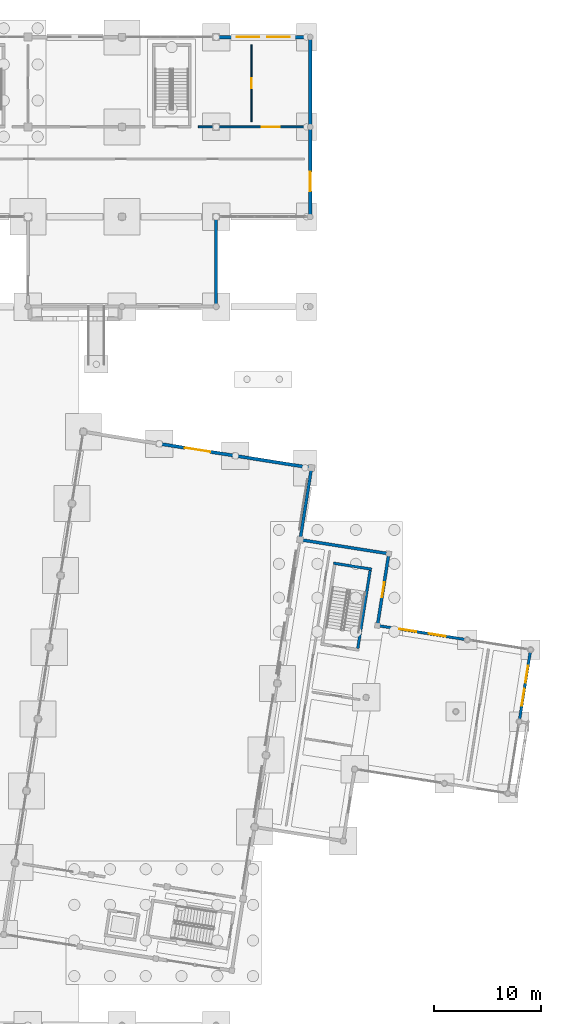
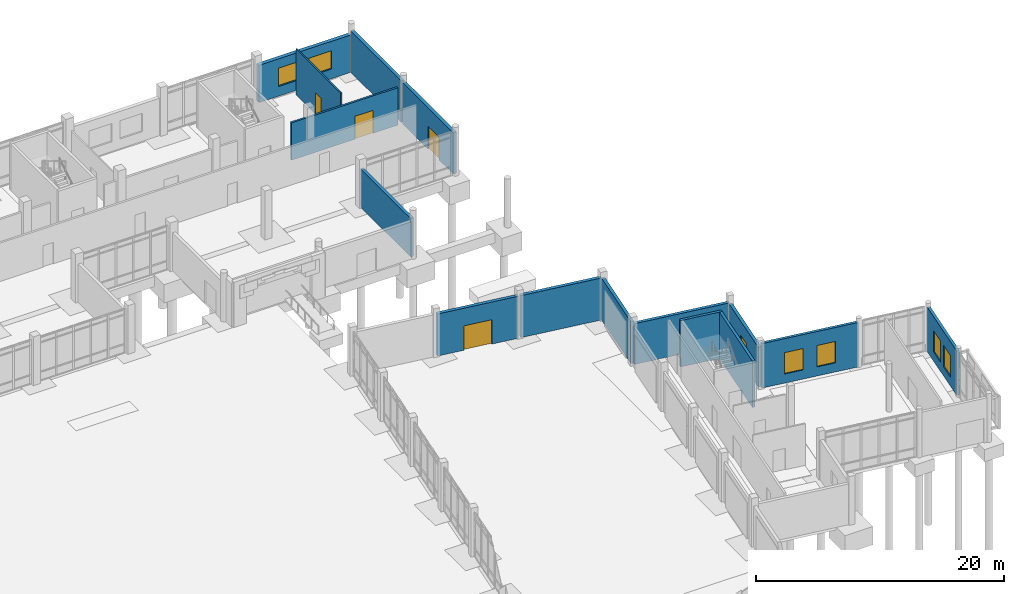
# One storey, part 51 of 72: 15 walls, 7 windows, 4 doors, 11 openings.
"""IFC4 building model written with IfcOpenShell, lengths in metres."""

from ifc_helpers import new_model, si_unit, direction, frame, frame_2d, origin, place, context, subcontext, project, spatial, rectangle, extrude, material, layer, layer_set, type_object, element, fill, save


model = new_model("IFC4")

# Units and contexts
model_context = context("Model", 3, precision=1e-05, world=origin(), true_north=direction((0.0, 1.0)))
body_context = subcontext(model_context, "Body", "Model", "MODEL_VIEW")
ifc_project = project(units=[si_unit("LENGTHUNIT", "METRE"), si_unit("AREAUNIT", "SQUARE_METRE"), si_unit("VOLUMEUNIT", "CUBIC_METRE"), si_unit("PLANEANGLEUNIT", "RADIAN"), si_unit("MASSUNIT", "GRAM", prefix="KILO")], contexts=[model_context])

# Site, building, storey
site_placement = place(None, origin())
site = spatial("IfcSite", under=ifc_project, at=site_placement, CompositionType="ELEMENT")
building_placement = place(site_placement, origin())
building = spatial("IfcBuilding", under=site, at=building_placement, Name="Cinderway Yard Community Centre", CompositionType="ELEMENT")
storey_placement = place(building_placement, origin())
storey = spatial("IfcBuildingStorey", under=building, at=storey_placement, Name="L00", CompositionType="ELEMENT", Elevation=0.0)

# Wall, openings, windows
ifc_material_1 = material(Name="Brick Masonry", Category="masonry")
ifc_layer_1 = layer(ifc_material_1, 0.25, Name="Brick Masonry")
ifc_layer_set_1 = layer_set([ifc_layer_1], Name="Brick Masonry")
wall_type_1 = type_object("IfcWallType", Name="ENV-WAL-EXT250", PredefinedType="SOLIDWALL", material=ifc_layer_set_1)
wall_1_placement = place(storey_placement, frame((165.156005859375, 51.26708984375, 0.0), z_axis=(0.0, 0.0, 1.0), x_axis=(0.156349649217, 0.987701770369, 0.0)))
wall_1 = element("IfcWall", 1, at=wall_1_placement, inside=storey, type_object=wall_type_1, Name="East Entrance Brick Wall ENV-WAL-L00-0090", PredefinedType="SOLIDWALL", context=body_context, shape_type="SweptSolid", body=[
    extrude(rectangle(XDim=6.639404296875, YDim=0.25, at=frame_2d((3.31982421875, 0.0))), origin(), (0.0, 0.0, 1.0), 4.375),
])
opening_1_placement = place(wall_1_placement, frame((1.4130859375, 0.0, 0.89990234375)))
opening_1 = element("IfcOpeningElement", 2, at=opening_1_placement, cuts=wall_1, Name="Opening W-14", PredefinedType="OPENING", context=body_context, shape_type="SweptSolid", body=[
    extrude(rectangle(XDim=1.60009765625, YDim=2.10009765625, at=frame_2d((0.800048828125, 1.050048828125))), frame((0.0, 0.135009765625, 0.0), z_axis=(0.0, -1.0, 0.0), x_axis=(1.0, 0.0, 0.0)), (0.0, 0.0, 1.0), 0.27001953125),
])
opening_2_placement = place(wall_1_placement, frame((3.626953125, 0.0, 0.89990234375)))
opening_2 = element("IfcOpeningElement", 3, at=opening_2_placement, cuts=wall_1, Name="Opening W-14", PredefinedType="OPENING", context=body_context, shape_type="SweptSolid", body=[
    extrude(rectangle(XDim=1.60009765625, YDim=2.10009765625, at=frame_2d((0.800048828125, 1.050048828125))), frame((0.0, 0.135009765625, 0.0), z_axis=(0.0, -1.0, 0.0), x_axis=(1.0, 0.0, 0.0)), (0.0, 0.0, 1.0), 0.27001953125),
])
ifc_material_2 = material(Name="Laminated Low-E Glass", Category="glass")
window_type_1 = type_object("IfcWindowType", Name="ENV-WIN-W14", PartitioningType="DOUBLE_PANEL_VERTICAL", PredefinedType="WINDOW", material=ifc_material_2)
window_1_placement = place(opening_1_placement, origin())
window_1 = element("IfcWindow", 4, at=window_1_placement, inside=storey, type_object=window_type_1, Name="Exterior window ENV-WIN-L00-0061", OverallHeight=2.10009765625, OverallWidth=1.60009765625, PartitioningType="SINGLE_PANEL", PredefinedType="WINDOW", context=body_context, shape_type="SweptSolid", body=[
    extrude(rectangle(XDim=1.60009765625, YDim=2.10009765625, at=frame_2d((0.800048828125, 1.050048828125))), frame((0.0, 0.030029296875, 0.0), z_axis=(0.0, -1.0, 0.0), x_axis=(1.0, 0.0, 0.0)), (0.0, 0.0, 1.0), 0.06005859375),
])
fill(opening_1, window_1)
window_2_placement = place(opening_2_placement, origin())
window_2 = element("IfcWindow", 5, at=window_2_placement, inside=storey, type_object=window_type_1, Name="Exterior window ENV-WIN-L00-0062", OverallHeight=2.10009765625, OverallWidth=1.60009765625, PartitioningType="SINGLE_PANEL", PredefinedType="WINDOW", context=body_context, shape_type="SweptSolid", body=[
    extrude(rectangle(XDim=1.60009765625, YDim=2.10009765625, at=frame_2d((0.800048828125, 1.050048828125))), frame((0.0, 0.030029296875, 0.0), z_axis=(0.0, -1.0, 0.0), x_axis=(1.0, 0.0, 0.0)), (0.0, 0.0, 1.0), 0.06005859375),
])
fill(opening_2, window_2)

wall_2_placement = place(storey_placement, frame((151.965087890625, 60.158935546875, 0.0), z_axis=(0.0, 0.0, 1.0), x_axis=(0.987699982026, -0.156360946233, 0.0)))
wall_2 = element("IfcWall", 6, at=wall_2_placement, inside=storey, type_object=wall_type_1, Name="East Entrance Brick Wall ENV-WAL-L00-0091", PredefinedType="SOLIDWALL", context=body_context, shape_type="SweptSolid", body=[
    extrude(rectangle(XDim=8.33935546875, YDim=0.25, at=frame_2d((4.169677734375, 0.0))), origin(), (0.0, 0.0, 1.0), 4.375),
])
opening_3_placement = place(wall_2_placement, frame((1.97998046875, 0.0, 0.89990234375)))
opening_3 = element("IfcOpeningElement", 7, at=opening_3_placement, cuts=wall_2, Name="Opening W-14", PredefinedType="OPENING", context=body_context, shape_type="SweptSolid", body=[
    extrude(rectangle(XDim=1.60009765625, YDim=2.10009765625, at=frame_2d((0.800048828125, 1.050048828125))), frame((0.0, 0.135009765625, 0.0), z_axis=(0.0, -1.0, 0.0), x_axis=(1.0, 0.0, 0.0)), (0.0, 0.0, 1.0), 0.27001953125),
])
opening_4_placement = place(wall_2_placement, frame((4.760009765625, 0.0, 0.89990234375)))
opening_4 = element("IfcOpeningElement", 8, at=opening_4_placement, cuts=wall_2, Name="Opening W-14", PredefinedType="OPENING", context=body_context, shape_type="SweptSolid", body=[
    extrude(rectangle(XDim=1.60009765625, YDim=2.10009765625, at=frame_2d((0.800048828125, 1.050048828125))), frame((0.0, 0.135009765625, 0.0), z_axis=(0.0, -1.0, 0.0), x_axis=(1.0, 0.0, 0.0)), (0.0, 0.0, 1.0), 0.27001953125),
])
window_3_placement = place(opening_3_placement, origin())
window_3 = element("IfcWindow", 9, at=window_3_placement, inside=storey, type_object=window_type_1, Name="Exterior window ENV-WIN-L00-0063", OverallHeight=2.10009765625, OverallWidth=1.60009765625, PartitioningType="SINGLE_PANEL", PredefinedType="WINDOW", context=body_context, shape_type="SweptSolid", body=[
    extrude(rectangle(XDim=1.60009765625, YDim=2.10009765625, at=frame_2d((0.800048828125, 1.050048828125))), frame((0.0, 0.030029296875, 0.0), z_axis=(0.0, -1.0, 0.0), x_axis=(1.0, 0.0, 0.0)), (0.0, 0.0, 1.0), 0.06005859375),
])
fill(opening_3, window_3)
window_4_placement = place(opening_4_placement, origin())
window_4 = element("IfcWindow", 10, at=window_4_placement, inside=storey, type_object=window_type_1, Name="Exterior window ENV-WIN-L00-0064", OverallHeight=2.10009765625, OverallWidth=1.60009765625, PartitioningType="SINGLE_PANEL", PredefinedType="WINDOW", context=body_context, shape_type="SweptSolid", body=[
    extrude(rectangle(XDim=1.60009765625, YDim=2.10009765625, at=frame_2d((0.800048828125, 1.050048828125))), frame((0.0, 0.030029296875, 0.0), z_axis=(0.0, -1.0, 0.0), x_axis=(1.0, 0.0, 0.0)), (0.0, 0.0, 1.0), 0.06005859375),
])
fill(opening_4, window_4)

# Wall, opening, window
ifc_material_3 = material(Name="Concrete C35/45", Category="concrete")
ifc_layer_2 = layer(ifc_material_3, 0.280029296875, Name="Concrete C35/45")
ifc_layer_set_2 = layer_set([ifc_layer_2], Name="Concrete C35/45")
wall_type_2 = type_object("IfcWallType", Name="ENV-WAL-EXT280", PredefinedType="SOLIDWALL", material=ifc_layer_set_2)
wall_3_placement = place(storey_placement, frame((151.90087890625, 60.27099609375, 0.0), z_axis=(0.0, 0.0, 1.0), x_axis=(0.156536171909, 0.987672226442, 0.0)))
wall_3 = element("IfcWall", 11, at=wall_3_placement, inside=storey, type_object=wall_type_2, Name="Athletics East Brick Wall ENV-WAL-L00-0059", PredefinedType="SOLIDWALL", context=body_context, shape_type="SweptSolid", body=[
    extrude(rectangle(XDim=6.600341796875, YDim=0.280029296875, at=frame_2d((3.30029296875, 0.0))), origin(), (0.0, 0.0, 1.0), 3.927978515625),
])
opening_5_placement = place(wall_3_placement, frame((2.60009765625, 0.0, 1.35009765625)))
opening_5 = element("IfcOpeningElement", 12, at=opening_5_placement, cuts=wall_3, Name="Opening W-20", PredefinedType="OPENING", context=body_context, shape_type="SweptSolid", body=[
    extrude(rectangle(XDim=1.39990234375, YDim=1.199951171875, at=frame_2d((0.699951171875, 0.60009765625))), frame((0.0, 0.14990234375, 0.0), z_axis=(0.0, -1.0, 0.0), x_axis=(1.0, 0.0, 0.0)), (0.0, 0.0, 1.0), 0.300048828125),
])
window_type_2 = type_object("IfcWindowType", Name="ENV-WIN-W20", PartitioningType="DOUBLE_PANEL_VERTICAL", PredefinedType="WINDOW", material=ifc_material_2)
window_5_placement = place(opening_5_placement, origin())
window_5 = element("IfcWindow", 13, at=window_5_placement, inside=storey, type_object=window_type_2, Name="Exterior window ENV-WIN-L00-0042", OverallHeight=1.199951171875, OverallWidth=1.39990234375, PartitioningType="SINGLE_PANEL", PredefinedType="WINDOW", context=body_context, shape_type="SweptSolid", body=[
    extrude(rectangle(XDim=1.39990234375, YDim=1.199951171875, at=frame_2d((0.699951171875, 0.60009765625))), frame((0.0, 0.030029296875, 0.0), z_axis=(0.0, -1.0, 0.0), x_axis=(1.0, 0.0, 0.0)), (0.0, 0.0, 1.0), 0.06005859375),
])
fill(opening_5, window_5)

# Walls
wall_4_placement = place(storey_placement, frame((144.73193359375, 68.18896484375, 0.0), z_axis=(0.0, 0.0, 1.0), x_axis=(0.987704756752, -0.156330782283, 0.0)))
element("IfcWall", 14, at=wall_4_placement, inside=storey, type_object=wall_type_2, Name="Sports Return Wall ENV-WAL-L00-0063", PredefinedType="SOLIDWALL", context=body_context, shape_type="SweptSolid", body=[
    extrude(rectangle(XDim=8.239501953125, YDim=0.280029296875, at=frame_2d((4.11962890625, 0.0))), origin(), (0.0, 0.0, 1.0), 4.006103515625),
])
wall_5_placement = place(storey_placement, frame((144.666015625, 68.281005859375, 0.0), z_axis=(0.0, 0.0, 1.0), x_axis=(0.15632126228, 0.987706263501, 0.0)))
element("IfcWall", 15, at=wall_5_placement, inside=storey, type_object=wall_type_2, Name="Sports Return Wall ENV-WAL-L00-0064", PredefinedType="SOLIDWALL", context=body_context, shape_type="SweptSolid", body=[
    extrude(rectangle(XDim=6.640625, YDim=0.280029296875, at=frame_2d((3.3203125, 0.0))), origin(), (0.0, 0.0, 1.0), 4.135009765625),
])
wall_6_placement = place(storey_placement, frame((136.800048828125, 90.14990234375, 0.0), z_axis=(0.0, 0.0, 1.0), x_axis=(0.0, 1.0, 0.0)))
element("IfcWall", 16, at=wall_6_placement, inside=storey, type_object=wall_type_2, Name="V4 Courtyard Step Wall ENV-WAL-L00-0145", PredefinedType="SOLIDWALL", context=body_context, shape_type="SweptSolid", body=[
    extrude(rectangle(XDim=8.10009765625, YDim=0.280029296875, at=frame_2d((4.050048828125, 0.0))), origin(), (0.0, 0.0, 1.0), 3.77490234375),
])

# Wall, opening, door
ifc_layer_3 = layer(ifc_material_1, 0.300048828125, Name="Brick Masonry")
ifc_layer_set_3 = layer_set([ifc_layer_3], Name="Brick Masonry")
wall_type_3 = type_object("IfcWallType", Name="ENV-WAL-EXT300", PredefinedType="SOLIDWALL", material=ifc_layer_set_3)
wall_7_placement = place(storey_placement, frame((131.593017578125, 77.156005859375, 0.0), z_axis=(0.0, 0.0, 1.0), x_axis=(0.987687337136, -0.156440800503, 0.0)))
wall_7 = element("IfcWall", 17, at=wall_7_placement, inside=storey, type_object=wall_type_3, Name="Sports North End Wall ENV-WAL-L00-0056", PredefinedType="SOLIDWALL", context=body_context, shape_type="SweptSolid", body=[
    extrude(rectangle(XDim=6.999267578125, YDim=0.300048828125, at=frame_2d((3.49951171875, 0.0))), origin(), (0.0, 0.0, 1.0), 4.135009765625),
])
opening_6_placement = place(wall_7_placement, frame((2.300048828125, 0.0, 0.0)))
opening_6 = element("IfcOpeningElement", 18, at=opening_6_placement, cuts=wall_7, Name="Opening D-EX1", PredefinedType="OPENING", context=body_context, shape_type="SweptSolid", body=[
    extrude(rectangle(XDim=2.39990234375, YDim=2.39990234375, at=frame_2d((1.199951171875, 1.199951171875))), frame((0.0, 0.159912109375, 0.0), z_axis=(0.0, -1.0, 0.0), x_axis=(1.0, 0.0, 0.0)), (0.0, 0.0, 1.0), 0.320068359375),
])
ifc_material_4 = material(Name="Aluminium 6063-T6", Category="aluminium")
door_type_1 = type_object("IfcDoorType", Name="INT-DOR-EXT240", OperationType="DOUBLE_DOOR_SINGLE_SWING", PredefinedType="DOOR", material=ifc_material_4)
door_1_placement = place(opening_6_placement, origin())
door_1 = element("IfcDoor", 19, at=door_1_placement, inside=storey, type_object=door_type_1, Name="Sports Hall North Exit EXT-DOR-L00-0070", OperationType="DOUBLE_DOOR_SINGLE_SWING", OverallHeight=2.39990234375, OverallWidth=2.39990234375, PredefinedType="DOOR", context=body_context, shape_type="SweptSolid", body=[
    extrude(rectangle(XDim=2.39990234375, YDim=2.39990234375, at=frame_2d((1.199951171875, 1.199951171875))), frame((0.0, 0.02490234375, 0.0), z_axis=(0.0, -1.0, 0.0), x_axis=(1.0, 0.0, 0.0)), (0.0, 0.0, 1.0), 0.050048828125),
])
fill(opening_6, door_1)

# Wall
wall_8_placement = place(storey_placement, frame((138.7041015625, 76.029052734375, 0.0), z_axis=(0.0, 0.0, 1.0), x_axis=(0.987689897735, -0.156424633332, 0.0)))
element("IfcWall", 20, at=wall_8_placement, inside=storey, type_object=wall_type_3, Name="Sports North End Wall ENV-WAL-L00-0057", PredefinedType="SOLIDWALL", context=body_context, shape_type="SweptSolid", body=[
    extrude(rectangle(XDim=7.0, YDim=0.300048828125, at=frame_2d((3.5, 0.0))), origin(), (0.0, 0.0, 1.0), 4.135009765625),
])

# Wall, opening, door
wall_9_placement = place(storey_placement, frame((145.60009765625, 98.5, 0.0), z_axis=(0.0, 0.0, 1.0), x_axis=(0.0, 1.0, 0.0)))
wall_9 = element("IfcWall", 21, at=wall_9_placement, inside=storey, type_object=wall_type_3, Name="V4 East End Wall ENV-WAL-L00-0139", PredefinedType="SOLIDWALL", context=body_context, shape_type="SweptSolid", body=[
    extrude(rectangle(XDim=8.199951171875, YDim=0.300048828125, at=frame_2d((4.10009765625, 0.0))), origin(), (0.0, 0.0, 1.0), 4.074951171875),
])
opening_7_placement = place(wall_9_placement, frame((2.300048828125, 0.0, 0.0)))
opening_7 = element("IfcOpeningElement", 22, at=opening_7_placement, cuts=wall_9, Name="Opening D-EX3", PredefinedType="OPENING", context=body_context, shape_type="SweptSolid", body=[
    extrude(rectangle(XDim=1.800048828125, YDim=2.25, at=frame_2d((0.89990234375, 1.125))), frame((0.0, 0.159912109375, 0.0), z_axis=(0.0, -1.0, 0.0), x_axis=(1.0, 0.0, 0.0)), (0.0, 0.0, 1.0), 0.320068359375),
])
door_type_2 = type_object("IfcDoorType", Name="INT-DOR-EXT180", OperationType="DOUBLE_DOOR_SINGLE_SWING", PredefinedType="DOOR", material=ifc_material_4)
door_2_placement = place(opening_7_placement, origin())
door_2 = element("IfcDoor", 23, at=door_2_placement, inside=storey, type_object=door_type_2, Name="Nursery East Garden Exit EXT-DOR-L00-0080", OperationType="DOUBLE_DOOR_SINGLE_SWING", OverallHeight=2.25, OverallWidth=1.800048828125, PredefinedType="DOOR", context=body_context, shape_type="SweptSolid", body=[
    extrude(rectangle(XDim=1.800048828125, YDim=2.25, at=frame_2d((0.89990234375, 1.125))), frame((0.0, 0.02490234375, 0.0), z_axis=(0.0, -1.0, 0.0), x_axis=(1.0, 0.0, 0.0)), (0.0, 0.0, 1.0), 0.050048828125),
])
fill(opening_7, door_2)

# Wall
wall_10_placement = place(storey_placement, frame((145.60009765625, 106.89990234375, 0.0), z_axis=(0.0, 0.0, 1.0), x_axis=(0.0, 1.0, 0.0)))
element("IfcWall", 24, at=wall_10_placement, inside=storey, type_object=wall_type_3, Name="V4 East End Wall ENV-WAL-L00-0140", PredefinedType="SOLIDWALL", context=body_context, shape_type="SweptSolid", body=[
    extrude(rectangle(XDim=8.2001953125, YDim=0.300048828125, at=frame_2d((4.10009765625, 0.0))), origin(), (0.0, 0.0, 1.0), 4.074951171875),
])

# Wall, openings, windows
ifc_layer_4 = layer(ifc_material_1, 0.340087890625, Name="Brick Masonry")
ifc_layer_set_4 = layer_set([ifc_layer_4], Name="Brick Masonry")
wall_type_4 = type_object("IfcWallType", Name="ENV-WAL-EXT340", PredefinedType="SOLIDWALL", material=ifc_layer_set_4)
wall_11_placement = place(storey_placement, frame((136.89990234375, 115.199951171875, 0.0), z_axis=(0.0, 0.0, 1.0), x_axis=(1.0, 0.0, 0.0)))
wall_11 = element("IfcWall", 25, at=wall_11_placement, inside=storey, type_object=wall_type_4, Name="V4 Street Brick Facade Wall ENV-WAL-L00-0135", PredefinedType="SOLIDWALL", context=body_context, shape_type="SweptSolid", body=[
    extrude(rectangle(XDim=8.60009765625, YDim=0.340087890625, at=frame_2d((4.300048828125, 0.0))), origin(), (0.0, 0.0, 1.0), 3.675048828125),
])
opening_8_placement = place(wall_11_placement, frame((1.81689453125, 0.0, 0.949951171875)))
opening_8 = element("IfcOpeningElement", 26, at=opening_8_placement, cuts=wall_11, Name="Opening W-09", PredefinedType="OPENING", context=body_context, shape_type="SweptSolid", body=[
    extrude(rectangle(XDim=2.10009765625, YDim=1.800048828125, at=frame_2d((1.050048828125, 0.89990234375))), frame((0.0, 0.179931640625, 0.0), z_axis=(0.0, -1.0, 0.0), x_axis=(1.0, 0.0, 0.0)), (0.0, 0.0, 1.0), 0.360107421875),
])
opening_9_placement = place(wall_11_placement, frame((4.68310546875, 0.0, 0.949951171875)))
opening_9 = element("IfcOpeningElement", 27, at=opening_9_placement, cuts=wall_11, Name="Opening W-09", PredefinedType="OPENING", context=body_context, shape_type="SweptSolid", body=[
    extrude(rectangle(XDim=2.10009765625, YDim=1.800048828125, at=frame_2d((1.050048828125, 0.89990234375))), frame((0.0, 0.179931640625, 0.0), z_axis=(0.0, -1.0, 0.0), x_axis=(1.0, 0.0, 0.0)), (0.0, 0.0, 1.0), 0.360107421875),
])
window_type_3 = type_object("IfcWindowType", Name="ENV-WIN-W09", PartitioningType="TRIPLE_PANEL_VERTICAL", PredefinedType="WINDOW", material=ifc_material_2)
window_6_placement = place(opening_8_placement, origin())
window_6 = element("IfcWindow", 28, at=window_6_placement, inside=storey, type_object=window_type_3, Name="Exterior window ENV-WIN-L00-0099", OverallHeight=1.800048828125, OverallWidth=2.10009765625, PartitioningType="SINGLE_PANEL", PredefinedType="WINDOW", context=body_context, shape_type="SweptSolid", body=[
    extrude(rectangle(XDim=2.10009765625, YDim=1.800048828125, at=frame_2d((1.050048828125, 0.89990234375))), frame((0.0, 0.030029296875, 0.0), z_axis=(0.0, -1.0, 0.0), x_axis=(1.0, 0.0, 0.0)), (0.0, 0.0, 1.0), 0.06005859375),
])
fill(opening_8, window_6)
window_7_placement = place(opening_9_placement, origin())
window_7 = element("IfcWindow", 29, at=window_7_placement, inside=storey, type_object=window_type_3, Name="Exterior window ENV-WIN-L00-0100", OverallHeight=1.800048828125, OverallWidth=2.10009765625, PartitioningType="SINGLE_PANEL", PredefinedType="WINDOW", context=body_context, shape_type="SweptSolid", body=[
    extrude(rectangle(XDim=2.10009765625, YDim=1.800048828125, at=frame_2d((1.050048828125, 0.89990234375))), frame((0.0, 0.030029296875, 0.0), z_axis=(0.0, -1.0, 0.0), x_axis=(1.0, 0.0, 0.0)), (0.0, 0.0, 1.0), 0.06005859375),
])
fill(opening_9, window_7)

# Wall, opening, door
ifc_material_5 = material(Name="Gypsum Board Partition", Category="gypsum")
ifc_layer_5 = layer(ifc_material_5, 0.1201171875, Name="Gypsum Board Partition")
ifc_layer_set_5 = layer_set([ifc_layer_5], Name="Gypsum Board Partition")
wall_type_5 = type_object("IfcWallType", Name="INT-WAL-PRT120", PredefinedType="PARTITIONING", material=ifc_layer_set_5)
wall_12_placement = place(storey_placement, frame((140.10009765625, 107.300048828125, 0.0), z_axis=(0.0, 0.0, 1.0), x_axis=(0.0, 1.0, 0.0)))
wall_12 = element("IfcWall", 30, at=wall_12_placement, inside=storey, type_object=wall_type_5, Name="V4 L00 North Room Partition INT-PRT-L00-0290", PredefinedType="PARTITIONING", context=body_context, shape_type="SweptSolid", body=[
    extrude(rectangle(XDim=7.199951171875, YDim=0.1201171875, at=frame_2d((3.60009765625, 0.0))), origin(), (0.0, 0.0, 1.0), 4.544921875),
])
opening_10_placement = place(wall_12_placement, frame((3.125, 0.0, 0.0)))
opening_10 = element("IfcOpeningElement", 31, at=opening_10_placement, cuts=wall_12, Name="Opening D-07", PredefinedType="OPENING", context=body_context, shape_type="SweptSolid", body=[
    extrude(rectangle(XDim=0.949951171875, YDim=2.1201171875, at=frame_2d((0.47509765625, 1.06005859375))), frame((0.0, 0.070068359375, 0.0), z_axis=(0.0, -1.0, 0.0), x_axis=(1.0, 0.0, 0.0)), (0.0, 0.0, 1.0), 0.14013671875),
])
ifc_material_6 = material(Name="Hardwood Timber", Category="wood")
door_type_3 = type_object("IfcDoorType", Name="INT-DOR-OFF095", OperationType="NOTDEFINED", PredefinedType="DOOR", material=ifc_material_6)
door_3_placement = place(opening_10_placement, origin())
door_3 = element("IfcDoor", 32, at=door_3_placement, inside=storey, type_object=door_type_3, Name="Room door INT-DOR-L00-0153", OperationType="SINGLE_SWING_LEFT", OverallHeight=2.1201171875, OverallWidth=0.949951171875, PredefinedType="DOOR", context=body_context, shape_type="SweptSolid", body=[
    extrude(rectangle(XDim=0.949951171875, YDim=2.1201171875, at=frame_2d((0.47509765625, 1.06005859375))), frame((0.0, 0.02490234375, 0.0), z_axis=(0.0, -1.0, 0.0), x_axis=(1.0, 0.0, 0.0)), (0.0, 0.0, 1.0), 0.050048828125),
])
fill(opening_10, door_3)

ifc_layer_6 = layer(ifc_material_1, 0.179931640625, Name="Brick Masonry")
ifc_layer_set_6 = layer_set([ifc_layer_6], Name="Brick Masonry")
wall_type_6 = type_object("IfcWallType", Name="INT-WAL-PRT180", PredefinedType="PARTITIONING", material=ifc_layer_set_6)
wall_13_placement = place(storey_placement, frame((135.14990234375, 106.800048828125, 0.0), z_axis=(0.0, 0.0, 1.0), x_axis=(1.0, 0.0, 0.0)))
wall_13 = element("IfcWall", 33, at=wall_13_placement, inside=storey, type_object=wall_type_6, Name="V4 L00 North Corridor Spine INT-PRT-L00-0282", PredefinedType="PARTITIONING", context=body_context, shape_type="SweptSolid", body=[
    extrude(rectangle(XDim=9.900146484375, YDim=0.179931640625, at=frame_2d((4.9501953125, 0.0))), origin(), (0.0, 0.0, 1.0), 3.675048828125),
])
opening_11_placement = place(wall_13_placement, frame((5.909912109375, 0.0, 0.0)))
opening_11 = element("IfcOpeningElement", 34, at=opening_11_placement, cuts=wall_13, Name="Opening D-16", PredefinedType="OPENING", context=body_context, shape_type="SweptSolid", body=[
    extrude(rectangle(XDim=1.679931640625, YDim=2.260009765625, at=frame_2d((0.83984375, 1.1298828125))), frame((0.0, 0.099853515625, 0.0), z_axis=(0.0, -1.0, 0.0), x_axis=(1.0, 0.0, 0.0)), (0.0, 0.0, 1.0), 0.199951171875),
])
door_type_4 = type_object("IfcDoorType", Name="INT-DOR-LIB168", OperationType="DOUBLE_DOOR_SINGLE_SWING", PredefinedType="DOOR", material=ifc_material_6)
door_4_placement = place(opening_11_placement, origin())
door_4 = element("IfcDoor", 35, at=door_4_placement, inside=storey, type_object=door_type_4, Name="Room door INT-DOR-L00-0145", OperationType="DOUBLE_DOOR_SINGLE_SWING", OverallHeight=2.260009765625, OverallWidth=1.679931640625, PredefinedType="DOOR", context=body_context, shape_type="SweptSolid", body=[
    extrude(rectangle(XDim=1.679931640625, YDim=2.260009765625, at=frame_2d((0.83984375, 1.1298828125))), frame((0.0, 0.02490234375, 0.0), z_axis=(0.0, -1.0, 0.0), x_axis=(1.0, 0.0, 0.0)), (0.0, 0.0, 1.0), 0.050048828125),
])
fill(opening_11, door_4)

# Walls
ifc_material_7 = material(Name="Concrete C40/50", Category="concrete")
ifc_layer_7 = layer(ifc_material_7, 0.25, Name="Concrete C40/50")
ifc_layer_set_7 = layer_set([ifc_layer_7], Name="Concrete C40/50")
wall_type_7 = type_object("IfcWallType", Name="INT-WAL-SHR250", PredefinedType="SHEAR", material=ifc_layer_set_7)
wall_14_placement = place(storey_placement, frame((147.782958984375, 66.006103515625, 0.0), z_axis=(0.0, 0.0, 1.0), x_axis=(0.987664601714, -0.156584272906, 0.0)))
element("IfcWall", 36, at=wall_14_placement, inside=storey, type_object=wall_type_7, Name="Stair ST-08 Back Wall INT-WAL-L00-0186", PredefinedType="SHEAR", context=body_context, shape_type="SweptSolid", body=[
    extrude(rectangle(XDim=3.609375, YDim=0.25, at=frame_2d((1.8046875, 0.0))), origin(), (0.0, 0.0, 1.0), 4.56005859375),
])
wall_15_placement = place(storey_placement, frame((151.205078125, 65.3369140625, 0.0), z_axis=(0.0, 0.0, 1.0), x_axis=(-0.156432491725, -0.987688653136, 0.0)))
element("IfcWall", 37, at=wall_15_placement, inside=storey, type_object=wall_type_7, Name="Stair ST-08 Side Wall R INT-WAL-L00-0188", PredefinedType="SHEAR", context=body_context, shape_type="SweptSolid", body=[
    extrude(rectangle(XDim=7.389892578125, YDim=0.25, at=frame_2d((3.69482421875, 0.0))), origin(), (0.0, 0.0, 1.0), 4.56005859375),
])

save(model, "model.ifc")
